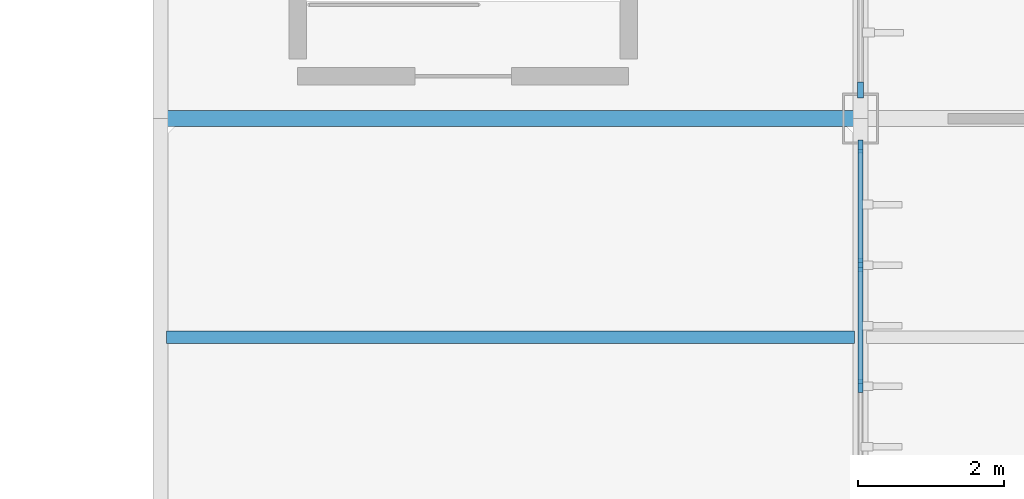
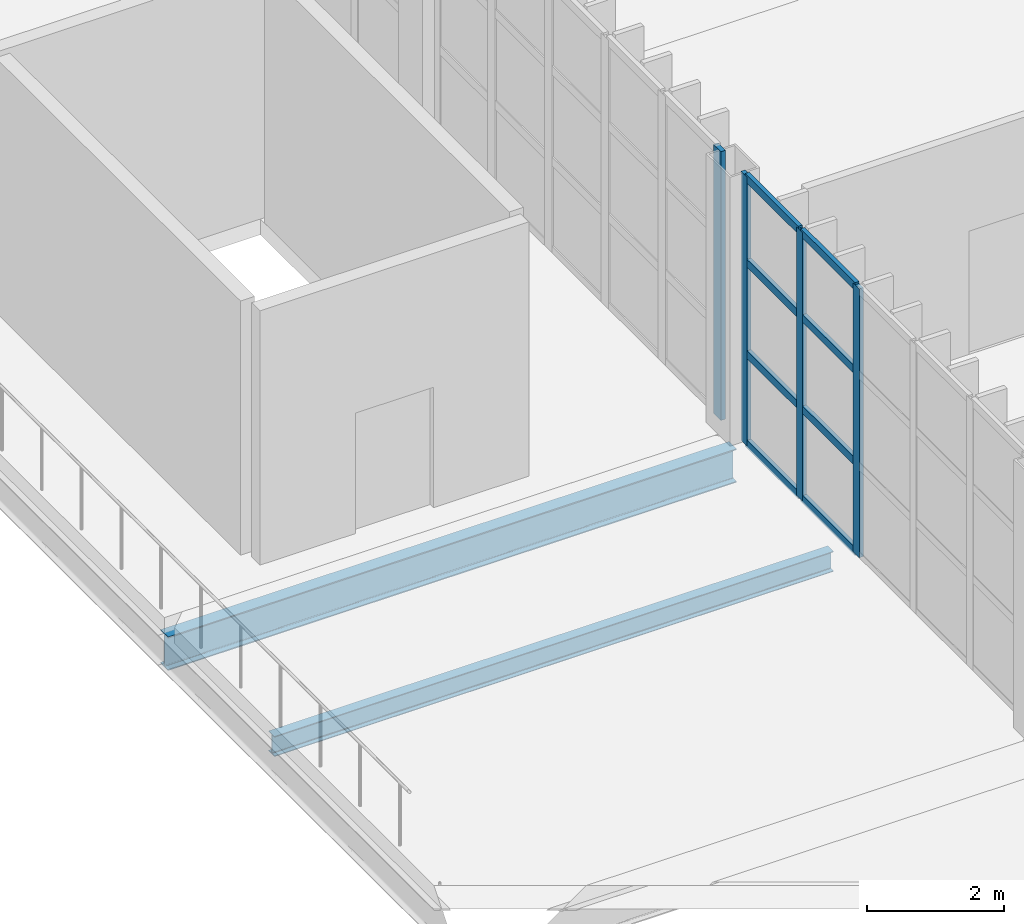
# One storey, part 33 of 120: 12 members, 2 beams, 2 elements without a shape of their own.
"""IFC4 building model written with IfcOpenShell, lengths in metres."""

import ifcopenshell
import ifcopenshell.guid

model = None  # the IFC model being written
_history = None  # IfcOwnerHistory: only IFC2X3 demands one
_inside = {}  # id of a spatial element -> (the spatial element, [elements in it])
_under = {}  # id of a project, library or spatial element -> (it, [spatial elements below it])
_declared = {}  # id of a project -> (the project, [libraries it declares])
_typed = {}  # id of a type object -> (the type object, [elements of that type])
_made_of = {}  # id of a material, layer set ... -> (it, [elements and type objects made of it])


def new_model(schema):
    """Start an empty IFC model of exactly this schema.

    Asked for "IFC4X3", IfcOpenShell would pick the latest addendum, in which some entities
    have other attributes; the version numbers below select the first issue.
    IFC2X3 requires an IfcOwnerHistory on every rooted entity: one is made here for all.
    """
    global model, _history
    if schema == "IFC4X3":
        model = ifcopenshell.file(schema_version=(4, 3, 0, 0))
    else:
        model = ifcopenshell.file(schema=schema)
    _inside.clear()
    _under.clear()
    _declared.clear()
    _typed.clear()
    _made_of.clear()
    _history = None
    if model.schema == "IFC2X3":
        org = make("IfcOrganization", Name="unknown")
        user = make(
            "IfcPersonAndOrganization",
            ThePerson=make("IfcPerson", FamilyName="unknown"),
            TheOrganization=org,
        )
        app = make(
            "IfcApplication",
            ApplicationDeveloper=org,
            Version="unknown",
            ApplicationFullName="unknown",
            ApplicationIdentifier="unknown",
        )
        _history = make(
            "IfcOwnerHistory",
            OwningUser=user,
            OwningApplication=app,
            ChangeAction="ADDED",
            CreationDate=0,
        )
    return model


def make(cls, **values):
    """One entity of the class cls with the attributes given. An attribute that is None is left unset."""
    return model.create_entity(
        cls, **{name: value for name, value in values.items() if value is not None}
    )


def rooted(cls, **values):
    """An entity with a GlobalId (a new one), such as an element, a storey or a relation."""
    return make(cls, GlobalId=ifcopenshell.guid.new(), OwnerHistory=_history, **values)


def si_unit(unit_type, name, prefix=None):
    """IfcSIUnit, for example si_unit("LENGTHUNIT", "METRE", prefix="MILLI")."""
    return make("IfcSIUnit", UnitType=unit_type, Prefix=prefix, Name=name)


def assignment(units):
    """IfcUnitAssignment: the units of a project."""
    return None if units is None else make("IfcUnitAssignment", Units=units)


def point(xyz):
    """IfcCartesianPoint."""
    return None if xyz is None else make("IfcCartesianPoint", Coordinates=xyz)


def direction(xyz):
    """IfcDirection."""
    return None if xyz is None else make("IfcDirection", DirectionRatios=xyz)


def frame(location, z_axis=None, x_axis=None):
    """IfcAxis2Placement3D, a coordinate frame: its origin and axes. An axis left out is left unset."""
    return make(
        "IfcAxis2Placement3D",
        Location=point(location),
        Axis=direction(z_axis),
        RefDirection=direction(x_axis),
    )


def frame_2d(location, x_axis=None):
    """IfcAxis2Placement2D, a coordinate frame in the plane: its origin and x axis."""
    return make(
        "IfcAxis2Placement2D", Location=point(location), RefDirection=direction(x_axis)
    )


def origin():
    """The frame at (0, 0, 0) with its axes left unset."""
    return frame((0.0, 0.0, 0.0))


def origin_2d():
    """The frame at (0, 0) in the plane with its x axis left unset."""
    return frame_2d((0.0, 0.0))


def place(relative_to, where):
    """IfcLocalPlacement: puts the frame where relative to a parent placement (None: the world)."""
    return make(
        "IfcLocalPlacement", PlacementRelTo=relative_to, RelativePlacement=where
    )


def context(
    kind, dimensions, precision=None, world=None, true_north=None, identifier=None
):
    """IfcGeometricRepresentationContext, for example the 3D "Model" context."""
    return make(
        "IfcGeometricRepresentationContext",
        ContextIdentifier=identifier,
        ContextType=kind,
        CoordinateSpaceDimension=dimensions,
        Precision=precision,
        WorldCoordinateSystem=world,
        TrueNorth=true_north,
    )


def subcontext(parent, identifier, kind, view, scale=None):
    """IfcGeometricRepresentationSubContext, for example "Body" below "Model"."""
    return make(
        "IfcGeometricRepresentationSubContext",
        ContextIdentifier=identifier,
        ContextType=kind,
        ParentContext=parent,
        TargetScale=scale,
        TargetView=view,
    )


def project(units=None, contexts=None):
    """IfcProject with its units and contexts."""
    return rooted(
        "IfcProject",
        Name="project",
        RepresentationContexts=contexts,
        UnitsInContext=assignment(units),
    )


def spatial(cls, under=None, at=None, **own):
    """A site, building, storey or space (cls), placed at a placement, below another one or the project."""
    s = rooted(cls, ObjectPlacement=at, **own)
    if under is not None:
        _under.setdefault(under.id(), (under, []))[1].append(s)
    return s


def profile(cls, at=None, kind="AREA", **sizes):
    """A parametric profile (cls). Its sizes go by their IFC names, for example OverallWidth=200.0."""
    return make(cls, ProfileType=kind, Position=at, **sizes)


def rectangle(**sizes):
    """IfcRectangleProfileDef."""
    return profile("IfcRectangleProfileDef", **sizes)


def i_section(**sizes):
    """IfcIShapeProfileDef."""
    return profile("IfcIShapeProfileDef", **sizes)


def extrude(swept, where, along, depth):
    """IfcExtrudedAreaSolid: the profile swept, set in the frame where, extruded along a direction by depth."""
    return make(
        "IfcExtrudedAreaSolid",
        SweptArea=swept,
        Position=where,
        ExtrudedDirection=direction(along),
        Depth=depth,
    )


def shape(context_of_items, identifier, shape_type, items):
    """IfcShapeRepresentation: the items that make up one representation, for example the "Body"."""
    return make(
        "IfcShapeRepresentation",
        ContextOfItems=context_of_items,
        RepresentationIdentifier=identifier,
        RepresentationType=shape_type,
        Items=items,
    )


def material(Name=None, Category=None):
    """IfcMaterial."""
    return make("IfcMaterial", Name=Name, Category=Category)


def layer(
    of_material, thickness, ventilated=None, Name=None, Category=None, Priority=None
):
    """IfcMaterialLayer: one layer of a wall or slab, of a material (None: an air gap)."""
    return make(
        "IfcMaterialLayer",
        Material=of_material,
        LayerThickness=thickness,
        IsVentilated=ventilated,
        Name=Name,
        Category=Category,
        Priority=Priority,
    )


def layer_set(layers, Name=None):
    """IfcMaterialLayerSet."""
    return make("IfcMaterialLayerSet", MaterialLayers=layers, LayerSetName=Name)


def material_profile(
    of_material, cross_section, Name=None, Category=None, Priority=None
):
    """IfcMaterialProfile: a cross section and its material."""
    return make(
        "IfcMaterialProfile",
        Name=Name,
        Material=of_material,
        Profile=cross_section,
        Priority=Priority,
        Category=Category,
    )


def profile_set(profiles, Name=None, composite=None):
    """IfcMaterialProfileSet."""
    return make(
        "IfcMaterialProfileSet",
        Name=Name,
        MaterialProfiles=profiles,
        CompositeProfile=composite,
    )


def made_of(thing, what):
    """Note that an element or type object is made of a material, layer set ...; save() writes the relation."""
    if what is not None:
        _made_of.setdefault(what.id(), (what, []))[1].append(thing)
    return thing


def type_object(cls, material=None, **own):
    """A type object (cls), such as IfcWallType, which elements share."""
    return made_of(rooted(cls, **own), material)


def element(
    cls,
    number,
    at=None,
    inside=None,
    cuts=None,
    type_object=None,
    material=None,
    context=None,
    identifier="Body",
    shape_type=None,
    held_by="IfcProductDefinitionShape",
    body=None,
    shapes=None,
    **own,
):
    """One element of the class cls, such as IfcWall. Its Tag is "e" and its number.

    at: its placement. inside: the storey or other place that contains it. cuts: it is an
    opening in that element (IfcRelVoidsElement). A single representation is given by context,
    identifier, shape_type and body (its items); several are given by shapes. held_by: the class
    of the entity that holds the representations. save() writes the other relations.
    """
    e = rooted(cls, Tag="e%d" % number, ObjectPlacement=at, **own)
    if body is not None:
        shapes = [shape(context, identifier, shape_type, body)]
    if shapes is not None:
        e.Representation = make(held_by, Representations=shapes)
    if inside is not None:
        _inside.setdefault(inside.id(), (inside, []))[1].append(e)
    if cuts is not None:
        rooted(
            "IfcRelVoidsElement", RelatingBuildingElement=cuts, RelatedOpeningElement=e
        )
    if type_object is not None:
        _typed.setdefault(type_object.id(), (type_object, []))[1].append(e)
    return made_of(e, material)


def aggregate(whole, parts):
    """IfcRelAggregates: a whole, such as a stair, and the parts it consists of."""
    return rooted("IfcRelAggregates", RelatingObject=whole, RelatedObjects=parts)


def save(model, path):
    """Write the relations noted so far, then the file.

    IfcRelAggregates (storeys below a building ...), IfcRelContainedInSpatialStructure (elements
    in a storey), IfcRelDefinesByType, IfcRelAssociatesMaterial and IfcRelDeclares: one each for
    every whole, place, type object, material and project.
    """
    for whole, parts in _under.values():
        aggregate(whole, parts)
    for where, things in _inside.values():
        rooted(
            "IfcRelContainedInSpatialStructure",
            RelatedElements=things,
            RelatingStructure=where,
        )
    for kind, things in _typed.values():
        rooted("IfcRelDefinesByType", RelatedObjects=things, RelatingType=kind)
    for what, things in _made_of.values():
        rooted("IfcRelAssociatesMaterial", RelatedObjects=things, RelatingMaterial=what)
    for by, libraries in _declared.values():
        rooted("IfcRelDeclares", RelatingContext=by, RelatedDefinitions=libraries)
    model.write(path)


model = new_model("IFC4")

# Units and contexts
model_context = context("Model", 3, precision=1e-05, world=origin(), true_north=direction((0.0, 1.0)))
body_context = subcontext(model_context, "Body", "Model", "MODEL_VIEW")
ifc_project = project(units=[si_unit("LENGTHUNIT", "METRE"), si_unit("AREAUNIT", "SQUARE_METRE"), si_unit("VOLUMEUNIT", "CUBIC_METRE"), si_unit("PLANEANGLEUNIT", "RADIAN"), si_unit("MASSUNIT", "GRAM", prefix="KILO")], contexts=[model_context])

# Site, building, storey
site_placement = place(None, origin())
site = spatial("IfcSite", under=ifc_project, at=site_placement, CompositionType="ELEMENT")
building_placement = place(site_placement, origin())
building = spatial("IfcBuilding", under=site, at=building_placement, Name="Zarnetskaya Central Station", CompositionType="ELEMENT")
storey_placement = place(building_placement, frame((0.0, 0.0, 5.39990234375)))
storey = spatial("IfcBuildingStorey", under=building, at=storey_placement, Name="L01", CompositionType="ELEMENT", Elevation=5.39990234375)

# Beam
ifc_material_1 = material(Name="Steel S355", Category="steel")
ifc_material_profile_1 = material_profile(ifc_material_1, i_section(OverallWidth=0.169921875, OverallDepth=0.360107421875, WebThickness=0.008056640625, FlangeThickness=0.0126953125, FilletRadius=0.01806640625, at=origin_2d()), Name="IPE 360")
ifc_profile_set_1 = profile_set([ifc_material_profile_1], Name="Steel S355")
beam_type_1 = type_object("IfcBeamType", Name="BM-SEC-360", PredefinedType="BEAM", material=ifc_profile_set_1)
beam_1_placement = place(storey_placement, frame((115.280029296875, 28.199951171875, -0.4599609375), z_axis=(1.0, 0.0, 0.0), x_axis=(0.0, 1.0, 0.0)))
element("IfcBeam", 1, at=beam_1_placement, inside=storey, type_object=beam_type_1, Name="Secondary floor beam SEC-L01-Z512-NP-45-2", PredefinedType="BEAM", context=body_context, shape_type="SweptSolid", body=[
    extrude(i_section(OverallWidth=0.169921875, OverallDepth=0.360107421875, WebThickness=0.008056640625, FlangeThickness=0.0126953125, FilletRadius=0.01806640625, at=origin_2d()), origin(), (0.0, 0.0, 1.0), 9.43994140625),
])

# Curtain wall, members
ifc_material_2 = material(Name="Low-E insulated glass", Category="glass")
ifc_layer = layer(ifc_material_2, 0.1640625, Name="Low-E insulated glass", Category="glass")
ifc_layer_set = layer_set([ifc_layer], Name="Low-E insulated glass")
curtain_wall_type = type_object("IfcCurtainWallType", Name="CW-SYS-17", PredefinedType="USERDEFINED", material=ifc_layer_set)
curtain_wall_1_placement = place(storey_placement, origin())
curtain_wall_1 = element("IfcCurtainWall", 2, at=curtain_wall_1_placement, inside=storey, type_object=curtain_wall_type, Name="Curtain wall CW-L01-089", ObjectType="CURTAIN WALL", PredefinedType="USERDEFINED")
ifc_material_3 = material(Name="Anodised aluminium", Category="aluminium")
ifc_material_profile_2 = material_profile(ifc_material_3, rectangle(XDim=0.070068359375, YDim=0.179931640625, at=origin_2d()), Name="ALU MULL 70x180")
ifc_profile_set_2 = profile_set([ifc_material_profile_2], Name="Anodised aluminium")
member_type_1 = type_object("IfcMemberType", Name="CW-MULL-180", PredefinedType="MULLION", material=ifc_profile_set_2)
member_1_placement = place(storey_placement, frame((124.800048828125, 30.81494140625, 0.0), z_axis=(0.0, 0.0, 1.0), x_axis=(1.0, 0.0, 0.0)))
member_1 = element("IfcMember", 3, at=member_1_placement, type_object=member_type_1, Name="CW-03 mullion 1", PredefinedType="MULLION", context=body_context, shape_type="SweptSolid", body=[
    extrude(rectangle(XDim=0.070068359375, YDim=0.179931640625, at=origin_2d()), origin(), (0.0, 0.0, 1.0), 4.800048828125),
])
member_2_placement = place(storey_placement, frame((124.800048828125, 29.18994140625, 0.0), z_axis=(0.0, 0.0, 1.0), x_axis=(1.0, 0.0, 0.0)))
member_2 = element("IfcMember", 4, at=member_2_placement, type_object=member_type_1, Name="CW-03 mullion 2", PredefinedType="MULLION", context=body_context, shape_type="SweptSolid", body=[
    extrude(rectangle(XDim=0.070068359375, YDim=0.179931640625, at=origin_2d()), origin(), (0.0, 0.0, 1.0), 4.800048828125),
])
member_3_placement = place(storey_placement, frame((124.800048828125, 27.530029296875, 0.0), z_axis=(0.0, 0.0, 1.0), x_axis=(1.0, 0.0, 0.0)))
member_3 = element("IfcMember", 5, at=member_3_placement, type_object=member_type_1, Name="CW-03 mullion 3", PredefinedType="MULLION", context=body_context, shape_type="SweptSolid", body=[
    extrude(rectangle(XDim=0.070068359375, YDim=0.179931640625, at=origin_2d()), origin(), (0.0, 0.0, 1.0), 4.800048828125),
])

# Curtain wall, member
curtain_wall_2_placement = place(storey_placement, origin())
curtain_wall_2 = element("IfcCurtainWall", 6, at=curtain_wall_2_placement, inside=storey, type_object=curtain_wall_type, Name="Curtain wall CW-L01-092", ObjectType="CURTAIN WALL", PredefinedType="USERDEFINED")
ifc_material_profile_3 = material_profile(ifc_material_3, rectangle(XDim=0.080078125, YDim=0.219970703125, at=origin_2d()), Name="ALU MULL 80x220")
ifc_profile_set_3 = profile_set([ifc_material_profile_3], Name="Anodised aluminium")
member_type_2 = type_object("IfcMemberType", Name="CW-MULL-220", PredefinedType="MULLION", material=ifc_profile_set_3)
member_4_placement = place(storey_placement, frame((124.800048828125, 31.590087890625, 0.0), z_axis=(0.0, 0.0, 1.0), x_axis=(1.0, 0.0, 0.0)))
member_4 = element("IfcMember", 7, at=member_4_placement, type_object=member_type_2, Name="CW-03 mullion 6", PredefinedType="MULLION", context=body_context, shape_type="SweptSolid", body=[
    extrude(rectangle(XDim=0.080078125, YDim=0.219970703125, at=origin_2d()), origin(), (0.0, 0.0, 1.0), 4.800048828125),
])
aggregate(curtain_wall_2, [member_4])

# Member
ifc_material_profile_4 = material_profile(ifc_material_3, rectangle(XDim=0.070068359375, YDim=0.139892578125, at=origin_2d()), Name="ALU TRAN 70x140")
ifc_profile_set_4 = profile_set([ifc_material_profile_4], Name="Anodised aluminium")
member_type_3 = type_object("IfcMemberType", Name="CW-TRAN-140", PredefinedType="USERDEFINED", material=ifc_profile_set_4)
member_5_placement = place(storey_placement, frame((124.800048828125, 30.780029296875, 0.03515625), z_axis=(0.0, -1.0, 0.0), x_axis=(1.0, 0.0, 0.0)))
member_5 = element("IfcMember", 8, at=member_5_placement, type_object=member_type_3, Name="CW-03 transom 1.1", ObjectType="TRANSOM", PredefinedType="USERDEFINED", context=body_context, shape_type="SweptSolid", body=[
    extrude(rectangle(XDim=0.070068359375, YDim=0.139892578125, at=origin_2d()), origin(), (0.0, 0.0, 1.0), 1.554931640625),
])

member_6_placement = place(storey_placement, frame((124.800048828125, 30.780029296875, 1.632080078125), z_axis=(0.0, -1.0, 0.0), x_axis=(1.0, 0.0, 0.0)))
member_6 = element("IfcMember", 9, at=member_6_placement, type_object=member_type_3, Name="CW-03 transom 1.2", ObjectType="TRANSOM", PredefinedType="USERDEFINED", context=body_context, shape_type="SweptSolid", body=[
    extrude(rectangle(XDim=0.070068359375, YDim=0.139892578125, at=origin_2d()), origin(), (0.0, 0.0, 1.0), 1.554931640625),
])

member_7_placement = place(storey_placement, frame((124.800048828125, 30.780029296875, 3.26416015625), z_axis=(0.0, -1.0, 0.0), x_axis=(1.0, 0.0, 0.0)))
member_7 = element("IfcMember", 10, at=member_7_placement, type_object=member_type_3, Name="CW-03 transom 1.3", ObjectType="TRANSOM", PredefinedType="USERDEFINED", context=body_context, shape_type="SweptSolid", body=[
    extrude(rectangle(XDim=0.070068359375, YDim=0.139892578125, at=origin_2d()), origin(), (0.0, 0.0, 1.0), 1.554931640625),
])

member_8_placement = place(storey_placement, frame((124.800048828125, 30.780029296875, 4.76513671875), z_axis=(0.0, -1.0, 0.0), x_axis=(1.0, 0.0, 0.0)))
member_8 = element("IfcMember", 11, at=member_8_placement, type_object=member_type_3, Name="CW-03 transom 1.4", ObjectType="TRANSOM", PredefinedType="USERDEFINED", context=body_context, shape_type="SweptSolid", body=[
    extrude(rectangle(XDim=0.070068359375, YDim=0.139892578125, at=origin_2d()), origin(), (0.0, 0.0, 1.0), 1.554931640625),
])

member_9_placement = place(storey_placement, frame((124.800048828125, 29.155029296875, 0.03515625), z_axis=(0.0, -1.0, 0.0), x_axis=(1.0, 0.0, 0.0)))
member_9 = element("IfcMember", 12, at=member_9_placement, type_object=member_type_3, Name="CW-03 transom 2.1", ObjectType="TRANSOM", PredefinedType="USERDEFINED", context=body_context, shape_type="SweptSolid", body=[
    extrude(rectangle(XDim=0.070068359375, YDim=0.139892578125, at=origin_2d()), origin(), (0.0, 0.0, 1.0), 1.590087890625),
])

member_10_placement = place(storey_placement, frame((124.800048828125, 29.155029296875, 1.632080078125), z_axis=(0.0, -1.0, 0.0), x_axis=(1.0, 0.0, 0.0)))
member_10 = element("IfcMember", 13, at=member_10_placement, type_object=member_type_3, Name="CW-03 transom 2.2", ObjectType="TRANSOM", PredefinedType="USERDEFINED", context=body_context, shape_type="SweptSolid", body=[
    extrude(rectangle(XDim=0.070068359375, YDim=0.139892578125, at=origin_2d()), origin(), (0.0, 0.0, 1.0), 1.590087890625),
])

member_11_placement = place(storey_placement, frame((124.800048828125, 29.155029296875, 3.26416015625), z_axis=(0.0, -1.0, 0.0), x_axis=(1.0, 0.0, 0.0)))
member_11 = element("IfcMember", 14, at=member_11_placement, type_object=member_type_3, Name="CW-03 transom 2.3", ObjectType="TRANSOM", PredefinedType="USERDEFINED", context=body_context, shape_type="SweptSolid", body=[
    extrude(rectangle(XDim=0.070068359375, YDim=0.139892578125, at=origin_2d()), origin(), (0.0, 0.0, 1.0), 1.590087890625),
])

member_12_placement = place(storey_placement, frame((124.800048828125, 29.155029296875, 4.76513671875), z_axis=(0.0, -1.0, 0.0), x_axis=(1.0, 0.0, 0.0)))
member_12 = element("IfcMember", 15, at=member_12_placement, type_object=member_type_3, Name="CW-03 transom 2.4", ObjectType="TRANSOM", PredefinedType="USERDEFINED", context=body_context, shape_type="SweptSolid", body=[
    extrude(rectangle(XDim=0.070068359375, YDim=0.139892578125, at=origin_2d()), origin(), (0.0, 0.0, 1.0), 1.590087890625),
])

aggregate(curtain_wall_1, [member_1, member_2, member_3, member_5, member_6, member_7, member_8, member_9, member_10, member_11, member_12])

# Beam
ifc_material_profile_5 = material_profile(ifc_material_1, i_section(OverallWidth=0.219970703125, OverallDepth=0.60009765625, WebThickness=0.011962890625, FlangeThickness=0.01904296875, FilletRadius=0.02392578125, at=origin_2d()), Name="IPE 600")
ifc_profile_set_5 = profile_set([ifc_material_profile_5], Name="Steel S355")
beam_type_2 = type_object("IfcBeamType", Name="GD-FLR-600", PredefinedType="USERDEFINED", material=ifc_profile_set_5)
beam_2_placement = place(storey_placement, frame((115.199951171875, 31.199951171875, -0.579833984375), z_axis=(1.0, 0.0, 0.0), x_axis=(0.0, 1.0, 0.0)))
element("IfcBeam", 16, at=beam_2_placement, inside=storey, type_object=beam_type_2, Name="Grid girder GX-L01-5-NP", ObjectType="GIRDER", PredefinedType="USERDEFINED", context=body_context, shape_type="SweptSolid", body=[
    extrude(i_section(OverallWidth=0.219970703125, OverallDepth=0.60009765625, WebThickness=0.011962890625, FlangeThickness=0.01904296875, FilletRadius=0.02392578125, at=origin_2d()), origin(), (0.0, 0.0, 1.0), 9.60009765625),
])

save(model, "model.ifc")
